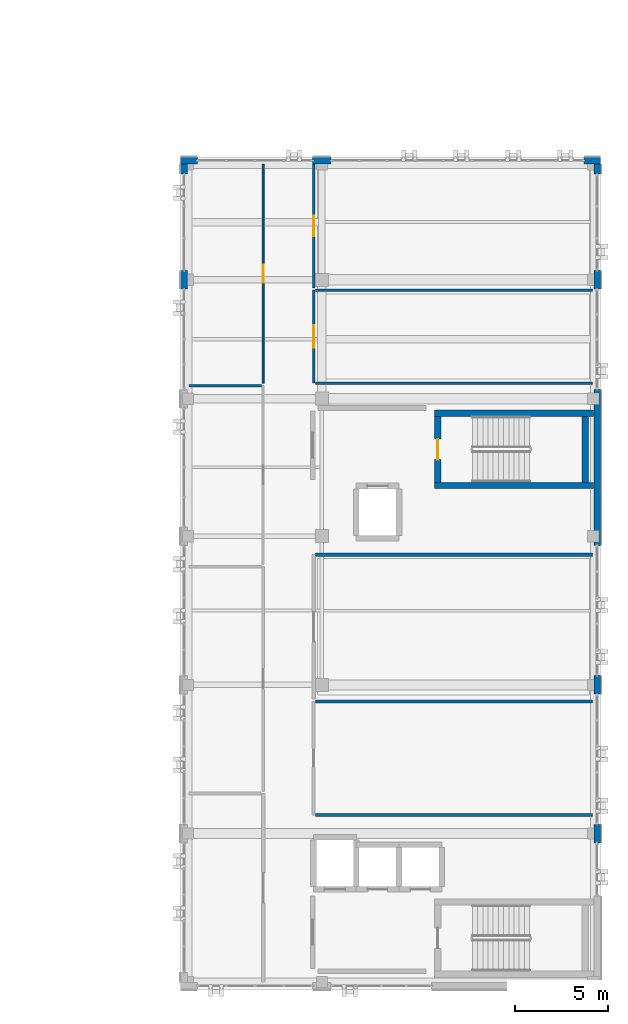
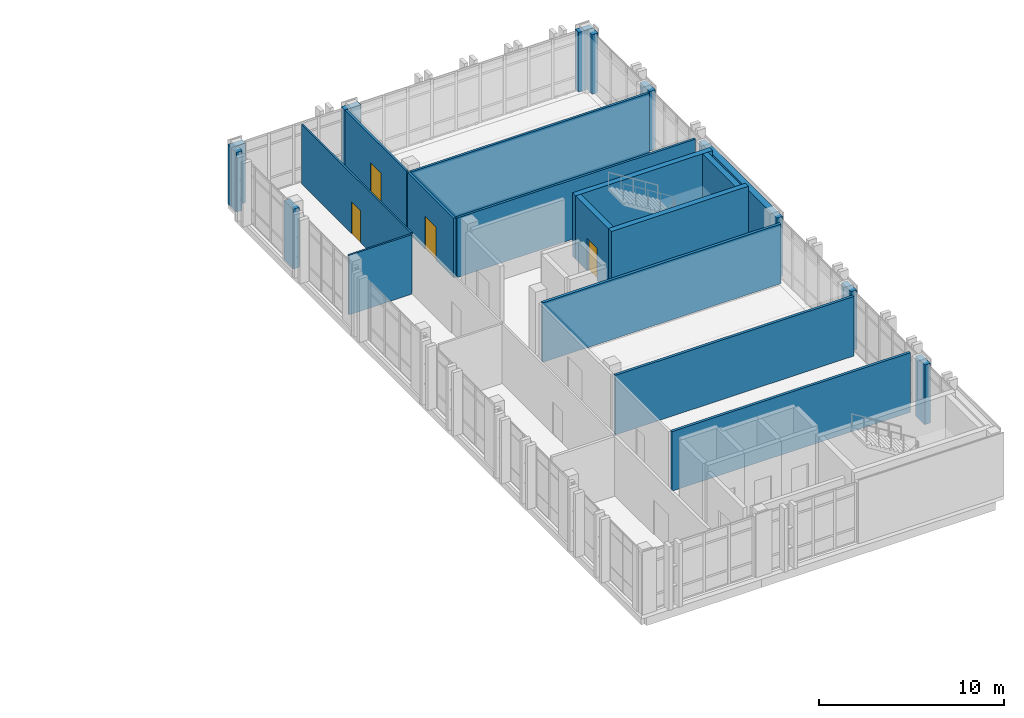
# One storey, part 62 of 77: 23 walls, 4 doors, 4 openings.
"""IFC4 building model written with IfcOpenShell, lengths in metres."""

from ifc_helpers import new_model, si_unit, direction, frame, frame_2d, origin, place, context, subcontext, project, spatial, rectangle, extrude, material, layer, layer_set, type_object, element, fill, save


model = new_model("IFC4")

# Units and contexts
model_context = context("Model", 3, precision=1e-05, world=origin(), true_north=direction((0.0, 1.0)))
body_context = subcontext(model_context, "Body", "Model", "MODEL_VIEW")
ifc_project = project(units=[si_unit("LENGTHUNIT", "METRE"), si_unit("AREAUNIT", "SQUARE_METRE"), si_unit("VOLUMEUNIT", "CUBIC_METRE"), si_unit("PLANEANGLEUNIT", "RADIAN"), si_unit("MASSUNIT", "GRAM", prefix="KILO")], contexts=[model_context])

# Site, building, storey
site_placement = place(None, origin())
site = spatial("IfcSite", under=ifc_project, at=site_placement, CompositionType="ELEMENT")
building_placement = place(site_placement, origin())
building = spatial("IfcBuilding", under=site, at=building_placement, Name="Qalavern Law Courts", CompositionType="ELEMENT")
storey_placement = place(building_placement, frame((0.0, 0.0, 27.0)))
storey = spatial("IfcBuildingStorey", under=building, at=storey_placement, Name="L06", CompositionType="ELEMENT", Elevation=27.0)

# Walls
ifc_material_1 = material(Name="Concrete C40/50", Category="concrete")
ifc_layer_1 = layer(ifc_material_1, 0.3701171875)
ifc_layer_set_1 = layer_set([ifc_layer_1], Name="Concrete C40/50")
wall_type_1 = type_object("IfcWallType", Name="ENV-EW-370", PredefinedType="SOLIDWALL", material=ifc_layer_set_1)
for number, where, z_axis, x_axis, name in (
    (1, (106.614990234375, 48.89990234375, 0.0), (0.0, 0.0, 1.0), (0.0, 1.0, 0.0), "V4 exterior pier wall L06 east 2"),
    (2, (106.614990234375, 56.89990234375, 0.0), (0.0, 0.0, 1.0), (0.0, 1.0, 0.0), "V4 exterior pier wall L06 east 3"),
):
    element("IfcWall", number, at=place(storey_placement, frame(where, z_axis=z_axis, x_axis=x_axis)), inside=storey, type_object=wall_type_1, Name=name, PredefinedType="SOLIDWALL", context=body_context, shape_type="SweptSolid", body=[
        extrude(rectangle(XDim=1.0, YDim=0.3701171875, at=frame_2d((0.5, 0.0))), origin(), (0.0, 0.0, 1.0), 3.93505859375),
    ])
wall_1_placement = place(storey_placement, frame((106.614990234375, 64.89990234375, 0.0), z_axis=(0.0, 0.0, 1.0), x_axis=(0.0, 1.0, 0.0)))
element("IfcWall", 3, at=wall_1_placement, inside=storey, type_object=wall_type_1, Name="V4 exterior pier wall L06 east 4", PredefinedType="SOLIDWALL", context=body_context, shape_type="SweptSolid", body=[
    extrude(rectangle(XDim=8.400146484375, YDim=0.3701171875, at=frame_2d((4.2001953125, 0.0))), origin(), (0.0, 0.0, 1.0), 3.93505859375),
])
wall_2_placement = place(storey_placement, frame((106.614990234375, 78.699951171875, 0.0), z_axis=(0.0, 0.0, 1.0), x_axis=(0.0, 1.0, 0.0)))
element("IfcWall", 4, at=wall_2_placement, inside=storey, type_object=wall_type_1, Name="V4 exterior pier wall L06 east 5", PredefinedType="SOLIDWALL", context=body_context, shape_type="SweptSolid", body=[
    extrude(rectangle(XDim=1.0, YDim=0.3701171875, at=frame_2d((0.5, 0.0))), origin(), (0.0, 0.0, 1.0), 3.93505859375),
])
wall_3_placement = place(storey_placement, frame((106.614990234375, 84.885009765625, 0.0), z_axis=(0.0, 0.0, 1.0), x_axis=(0.0, 1.0, 0.0)))
element("IfcWall", 5, at=wall_3_placement, inside=storey, type_object=wall_type_1, Name="V4 exterior pier wall L06 east 6", PredefinedType="SOLIDWALL", context=body_context, shape_type="SweptSolid", body=[
    extrude(rectangle(XDim=0.550048828125, YDim=0.3701171875, at=frame_2d((0.27490234375, 0.0))), origin(), (0.0, 0.0, 1.0), 3.93505859375),
])
wall_4_placement = place(storey_placement, frame((106.800048828125, 85.614990234375, 0.0), z_axis=(0.0, 0.0, 1.0), x_axis=(-1.0, 0.0, 0.0)))
element("IfcWall", 6, at=wall_4_placement, inside=storey, type_object=wall_type_1, Name="V4 exterior pier wall L06 north 1", PredefinedType="SOLIDWALL", context=body_context, shape_type="SweptSolid", body=[
    extrude(rectangle(XDim=0.900146484375, YDim=0.3701171875, at=frame_2d((0.4501953125, 0.0))), origin(), (0.0, 0.0, 1.0), 3.93505859375),
])
wall_5_placement = place(storey_placement, frame((92.300048828125, 85.614990234375, 0.0), z_axis=(0.0, 0.0, 1.0), x_axis=(-1.0, 0.0, 0.0)))
element("IfcWall", 7, at=wall_5_placement, inside=storey, type_object=wall_type_1, Name="V4 exterior pier wall L06 north 2", PredefinedType="SOLIDWALL", context=body_context, shape_type="SweptSolid", body=[
    extrude(rectangle(XDim=1.0, YDim=0.3701171875, at=frame_2d((0.5, 0.0))), origin(), (0.0, 0.0, 1.0), 3.93505859375),
])
wall_6_placement = place(storey_placement, frame((85.10009765625, 85.614990234375, 0.0), z_axis=(0.0, 0.0, 1.0), x_axis=(-1.0, 0.0, 0.0)))
element("IfcWall", 8, at=wall_6_placement, inside=storey, type_object=wall_type_1, Name="V4 exterior pier wall L06 north 3", PredefinedType="SOLIDWALL", context=body_context, shape_type="SweptSolid", body=[
    extrude(rectangle(XDim=0.900146484375, YDim=0.3701171875, at=frame_2d((0.4501953125, 0.0))), origin(), (0.0, 0.0, 1.0), 3.93505859375),
])
wall_7_placement = place(storey_placement, frame((84.385009765625, 85.43505859375, 0.0), z_axis=(0.0, 0.0, 1.0), x_axis=(0.0, -1.0, 0.0)))
element("IfcWall", 9, at=wall_7_placement, inside=storey, type_object=wall_type_1, Name="V4 exterior pier wall L06 west 1", PredefinedType="SOLIDWALL", context=body_context, shape_type="SweptSolid", body=[
    extrude(rectangle(XDim=0.550048828125, YDim=0.3701171875, at=frame_2d((0.27490234375, 0.0))), origin(), (0.0, 0.0, 1.0), 3.93505859375),
])
wall_8_placement = place(storey_placement, frame((84.385009765625, 79.699951171875, 0.0), z_axis=(0.0, 0.0, 1.0), x_axis=(0.0, -1.0, 0.0)))
element("IfcWall", 10, at=wall_8_placement, inside=storey, type_object=wall_type_1, Name="V4 exterior pier wall L06 west 2", PredefinedType="SOLIDWALL", context=body_context, shape_type="SweptSolid", body=[
    extrude(rectangle(XDim=1.0, YDim=0.3701171875, at=frame_2d((0.5, 0.0))), origin(), (0.0, 0.0, 1.0), 3.93505859375),
])
ifc_material_2 = material(Name="Concrete C45/55", Category="concrete")
ifc_layer_2 = layer(ifc_material_2, 0.3349609375)
ifc_layer_set_2 = layer_set([ifc_layer_2], Name="Concrete C45/55")
wall_type_2 = type_object("IfcWallType", Name="INT-CW-335", PredefinedType="SHEAR", material=ifc_layer_set_2)
wall_9_placement = place(storey_placement, frame((97.864990234375, 68.132568359375, 0.0), z_axis=(0.0, 0.0, 1.0), x_axis=(1.0, 0.0, 0.0)))
element("IfcWall", 11, at=wall_9_placement, inside=storey, type_object=wall_type_2, Name="Core K1B stair shear wall L06 south", PredefinedType="SHEAR", context=body_context, shape_type="SweptSolid", body=[
    extrude(rectangle(XDim=8.56201171875, YDim=0.3349609375, at=frame_2d((4.281005859375, 0.0))), origin(), (0.0, 0.0, 1.0), 4.199951171875),
])
wall_10_placement = place(storey_placement, frame((105.967529296875, 68.300048828125, 0.0), z_axis=(0.0, 0.0, 1.0), x_axis=(0.0, 1.0, 0.0)))
element("IfcWall", 12, at=wall_10_placement, inside=storey, type_object=wall_type_2, Name="Core K1B stair shear wall L06 east", PredefinedType="SHEAR", context=body_context, shape_type="SweptSolid", body=[
    extrude(rectangle(XDim=3.550048828125, YDim=0.3349609375, at=frame_2d((1.77490234375, 0.0))), origin(), (0.0, 0.0, 1.0), 4.199951171875),
])
wall_11_placement = place(storey_placement, frame((106.427001953125, 72.017578125, 0.0), z_axis=(0.0, 0.0, 1.0), x_axis=(-1.0, 0.0, 0.0)))
element("IfcWall", 13, at=wall_11_placement, inside=storey, type_object=wall_type_2, Name="Core K1B stair shear wall L06 north", PredefinedType="SHEAR", context=body_context, shape_type="SweptSolid", body=[
    extrude(rectangle(XDim=8.56201171875, YDim=0.3349609375, at=frame_2d((4.281005859375, 0.0))), origin(), (0.0, 0.0, 1.0), 4.199951171875),
])

# Wall, opening, door
wall_12_placement = place(storey_placement, frame((98.032470703125, 71.85009765625, 0.0), z_axis=(0.0, 0.0, 1.0), x_axis=(0.0, -1.0, 0.0)))
wall_12 = element("IfcWall", 14, at=wall_12_placement, inside=storey, type_object=wall_type_2, Name="Core K1B stair shear wall L06 west", PredefinedType="SHEAR", context=body_context, shape_type="SweptSolid", body=[
    extrude(rectangle(XDim=3.550048828125, YDim=0.3349609375, at=frame_2d((1.77490234375, 0.0))), origin(), (0.0, 0.0, 1.0), 4.199951171875),
])
opening_1_placement = place(wall_12_placement, frame((1.22509765625, 0.0, 0.0)))
opening_1 = element("IfcOpeningElement", 15, at=opening_1_placement, cuts=wall_12, Name="Opening L06-D041", PredefinedType="OPENING", context=body_context, shape_type="SweptSolid", body=[
    extrude(rectangle(XDim=1.10009765625, YDim=2.14990234375, at=frame_2d((0.550048828125, 1.074951171875))), frame((0.0, 0.182373046875, 0.0), z_axis=(0.0, -1.0, 0.0), x_axis=(1.0, 0.0, 0.0)), (0.0, 0.0, 1.0), 0.36474609375),
])
ifc_material_3 = material(Name="Steel fire-rated stair enclosure door", Category="steel")
door_type_1 = type_object("IfcDoorType", Name="INT-FD-1100x2150", OperationType="NOTDEFINED", PredefinedType="DOOR", material=ifc_material_3)
door_1_placement = place(opening_1_placement, frame((1.10009765625, 0.0, 0.0), z_axis=(0.0, 0.0, 1.0), x_axis=(-1.0, 0.0, 0.0)))
door_1 = element("IfcDoor", 16, at=door_1_placement, inside=storey, type_object=door_type_1, Name="Stair K1B fire door L06", OperationType="SINGLE_SWING_LEFT", OverallHeight=2.14990234375, OverallWidth=1.10009765625, PredefinedType="DOOR", context=body_context, shape_type="SweptSolid", body=[
    extrude(rectangle(XDim=1.10009765625, YDim=2.14990234375, at=frame_2d((0.550048828125, 1.074951171875))), frame((0.0, 0.02490234375, 0.0), z_axis=(0.0, -1.0, 0.0), x_axis=(1.0, 0.0, 0.0)), (0.0, 0.0, 1.0), 0.050048828125),
])
fill(opening_1, door_1)

ifc_material_4 = material(Name="Gypsum sanitary partition")
ifc_layer_3 = layer(ifc_material_4, 0.10205078125)
ifc_layer_set_3 = layer_set([ifc_layer_3], Name="Gypsum sanitary partition")
wall_type_3 = type_object("IfcWallType", Name="INT-PW-102", PredefinedType="PARTITIONING", material=ifc_layer_set_3)
wall_13_placement = place(storey_placement, frame((88.639892578125, 73.6201171875, 0.0), z_axis=(0.0, 0.0, 1.0), x_axis=(0.0, 1.0, 0.0)))
wall_13 = element("IfcWall", 17, at=wall_13_placement, inside=storey, type_object=wall_type_3, Name="Judicial Clerks' Office corridor partition L06", PredefinedType="PARTITIONING", context=body_context, shape_type="SweptSolid", body=[
    extrude(rectangle(XDim=11.7998046875, YDim=0.10205078125, at=frame_2d((5.89990234375, 0.0))), origin(), (0.0, 0.0, 1.0), 3.93505859375),
])
opening_2_placement = place(wall_13_placement, frame((5.409912109375, 0.0, 0.0)))
opening_2 = element("IfcOpeningElement", 18, at=opening_2_placement, cuts=wall_13, Name="Opening L06-D305", PredefinedType="OPENING", context=body_context, shape_type="SweptSolid", body=[
    extrude(rectangle(XDim=0.97998046875, YDim=2.090087890625, at=frame_2d((0.489990234375, 1.044921875))), frame((0.0, 0.06591796875, 0.0), z_axis=(0.0, -1.0, 0.0), x_axis=(1.0, 0.0, 0.0)), (0.0, 0.0, 1.0), 0.1318359375),
])
ifc_material_5 = material(Name="Timber Legal Research Office door", Category="wood")
door_type_2 = type_object("IfcDoorType", Name="INT-ID-980x2090", OperationType="NOTDEFINED", PredefinedType="DOOR", material=ifc_material_5)
door_2_placement = place(opening_2_placement, frame((0.97998046875, 0.0, 0.0), z_axis=(0.0, 0.0, 1.0), x_axis=(-1.0, 0.0, 0.0)))
door_2 = element("IfcDoor", 19, at=door_2_placement, inside=storey, type_object=door_type_2, Name="Judicial Clerks' Office door L06", OperationType="SINGLE_SWING_LEFT", OverallHeight=2.090087890625, OverallWidth=0.97998046875, PredefinedType="DOOR", context=body_context, shape_type="SweptSolid", body=[
    extrude(rectangle(XDim=0.97998046875, YDim=2.090087890625, at=frame_2d((0.489990234375, 1.044921875))), frame((0.0, 0.02490234375, 0.0), z_axis=(0.0, -1.0, 0.0), x_axis=(1.0, 0.0, 0.0)), (0.0, 0.0, 1.0), 0.050048828125),
])
fill(opening_2, door_2)

# Wall
ifc_material_6 = material(Name="Gypsum stud partition")
ifc_layer_4 = layer(ifc_material_6, 0.112060546875)
ifc_layer_set_4 = layer_set([ifc_layer_4], Name="Gypsum stud partition")
wall_type_4 = type_object("IfcWallType", Name="INT-PW-112", PredefinedType="PARTITIONING", material=ifc_layer_set_4)
wall_14_placement = place(storey_placement, frame((84.639892578125, 73.5, 0.0), z_axis=(0.0, 0.0, 1.0), x_axis=(1.0, 0.0, 0.0)))
element("IfcWall", 20, at=wall_14_placement, inside=storey, type_object=wall_type_4, Name="Judicial Conference Room cross partition L06 north", PredefinedType="PARTITIONING", context=body_context, shape_type="SweptSolid", body=[
    extrude(rectangle(XDim=3.924072265625, YDim=0.112060546875, at=frame_2d((1.9619140625, 0.0))), origin(), (0.0, 0.0, 1.0), 3.93505859375),
])

# Wall, opening, door
ifc_layer_5 = layer(ifc_material_6, 0.132080078125)
ifc_layer_set_5 = layer_set([ifc_layer_5], Name="Gypsum stud partition")
wall_type_5 = type_object("IfcWallType", Name="INT-PW-132", PredefinedType="PARTITIONING", material=ifc_layer_set_5)
wall_15_placement = place(storey_placement, frame((91.360107421875, 78.764892578125, 0.0), z_axis=(0.0, 0.0, 1.0), x_axis=(0.0, 1.0, 0.0)))
wall_15 = element("IfcWall", 21, at=wall_15_placement, inside=storey, type_object=wall_type_5, Name="Judicial Conference Room corridor partition L06", PredefinedType="PARTITIONING", context=body_context, shape_type="SweptSolid", body=[
    extrude(rectangle(XDim=6.655029296875, YDim=0.132080078125, at=frame_2d((3.32763671875, 0.0))), origin(), (0.0, 0.0, 1.0), 3.93505859375),
])
opening_3_placement = place(wall_15_placement, frame((2.767578125, 0.0, 0.0)))
opening_3 = element("IfcOpeningElement", 22, at=opening_3_placement, cuts=wall_15, Name="Opening L06-D309", PredefinedType="OPENING", context=body_context, shape_type="SweptSolid", body=[
    extrude(rectangle(XDim=1.1201171875, YDim=2.139892578125, at=frame_2d((0.56005859375, 1.06982421875))), frame((0.0, 0.0810546875, 0.0), z_axis=(0.0, -1.0, 0.0), x_axis=(1.0, 0.0, 0.0)), (0.0, 0.0, 1.0), 0.161865234375),
])
ifc_material_7 = material(Name="Solid oak Appellate Chambers door")
door_type_3 = type_object("IfcDoorType", Name="INT-ID-1120x2140", OperationType="NOTDEFINED", PredefinedType="DOOR", material=ifc_material_7)
door_3_placement = place(opening_3_placement, origin())
door_3 = element("IfcDoor", 23, at=door_3_placement, inside=storey, type_object=door_type_3, Name="Judicial Conference Room door L06", OperationType="SINGLE_SWING_RIGHT", OverallHeight=2.139892578125, OverallWidth=1.1201171875, PredefinedType="DOOR", context=body_context, shape_type="SweptSolid", body=[
    extrude(rectangle(XDim=1.1201171875, YDim=2.139892578125, at=frame_2d((0.56005859375, 1.06982421875))), frame((0.0, 0.02490234375, 0.0), z_axis=(0.0, -1.0, 0.0), x_axis=(1.0, 0.0, 0.0)), (0.0, 0.0, 1.0), 0.050048828125),
])
fill(opening_3, door_3)

ifc_layer_6 = layer(ifc_material_6, 0.14208984375)
ifc_layer_set_6 = layer_set([ifc_layer_6], Name="Gypsum stud partition")
wall_type_6 = type_object("IfcWallType", Name="INT-PW-142", PredefinedType="PARTITIONING", material=ifc_layer_set_6)
wall_16_placement = place(storey_placement, frame((91.360107421875, 73.639892578125, 0.0), z_axis=(0.0, 0.0, 1.0), x_axis=(0.0, 1.0, 0.0)))
wall_16 = element("IfcWall", 24, at=wall_16_placement, inside=storey, type_object=wall_type_6, Name="Appellate Panel Chambers corridor partition L06", PredefinedType="PARTITIONING", context=body_context, shape_type="SweptSolid", body=[
    extrude(rectangle(XDim=5.005126953125, YDim=0.14208984375, at=frame_2d((2.50244140625, 0.0))), origin(), (0.0, 0.0, 1.0), 3.93505859375),
])
opening_4_placement = place(wall_16_placement, frame((1.892578125, 0.0, 0.0)))
opening_4 = element("IfcOpeningElement", 25, at=opening_4_placement, cuts=wall_16, Name="Opening L06-D308", PredefinedType="OPENING", context=body_context, shape_type="SweptSolid", body=[
    extrude(rectangle(XDim=1.219970703125, YDim=2.179931640625, at=frame_2d((0.60986328125, 1.08984375))), frame((0.0, 0.0859375, 0.0), z_axis=(0.0, -1.0, 0.0), x_axis=(1.0, 0.0, 0.0)), (0.0, 0.0, 1.0), 0.171875),
])
ifc_material_8 = material(Name="Wide oak Plenary Boardroom door")
door_type_4 = type_object("IfcDoorType", Name="INT-ID-1220x2180", OperationType="NOTDEFINED", PredefinedType="DOOR", material=ifc_material_8)
door_4_placement = place(opening_4_placement, origin())
door_4 = element("IfcDoor", 26, at=door_4_placement, inside=storey, type_object=door_type_4, Name="Appellate Panel Chambers door L06", OperationType="SINGLE_SWING_LEFT", OverallHeight=2.179931640625, OverallWidth=1.219970703125, PredefinedType="DOOR", context=body_context, shape_type="SweptSolid", body=[
    extrude(rectangle(XDim=1.219970703125, YDim=2.179931640625, at=frame_2d((0.60986328125, 1.08984375))), frame((0.0, 0.02490234375, 0.0), z_axis=(0.0, -1.0, 0.0), x_axis=(1.0, 0.0, 0.0)), (0.0, 0.0, 1.0), 0.050048828125),
])
fill(opening_4, door_4)

# Walls
for number, where, z_axis, x_axis, name in (
    (27, (91.450927734375, 73.639892578125, 0.0), (0.0, 0.0, 1.0), (1.0, 0.0, 0.0), "Appellate Panel Chambers cross partition L06 south"),
    (28, (91.450927734375, 78.64501953125, 0.0), (0.0, 0.0, 1.0), (1.0, 0.0, 0.0), "Appellate Panel Chambers cross partition L06 north"),
):
    element("IfcWall", number, at=place(storey_placement, frame(where, z_axis=z_axis, x_axis=x_axis)), inside=storey, type_object=wall_type_6, Name=name, PredefinedType="PARTITIONING", context=body_context, shape_type="SweptSolid", body=[
        extrude(rectangle(XDim=14.9091796875, YDim=0.14208984375, at=frame_2d((7.45458984375, 0.0))), origin(), (0.0, 0.0, 1.0), 3.93505859375),
    ])
ifc_layer_7 = layer(ifc_material_6, 0.162109375)
ifc_layer_set_7 = layer_set([ifc_layer_7], Name="Gypsum stud partition")
wall_type_7 = type_object("IfcWallType", Name="INT-PW-162", PredefinedType="PARTITIONING", material=ifc_layer_set_7)
for number, where, z_axis, x_axis, name in (
    (29, (91.4609375, 50.389892578125, 0.0), (0.0, 0.0, 1.0), (1.0, 0.0, 0.0), "Accessible WC cross partition L06 south"),
    (30, (91.4609375, 56.514892578125, 0.0), (0.0, 0.0, 1.0), (1.0, 0.0, 0.0), "Accessible WC cross partition L06 north"),
):
    element("IfcWall", number, at=place(storey_placement, frame(where, z_axis=z_axis, x_axis=x_axis)), inside=storey, type_object=wall_type_7, Name=name, PredefinedType="PARTITIONING", context=body_context, shape_type="SweptSolid", body=[
        extrude(rectangle(XDim=14.899169921875, YDim=0.162109375, at=frame_2d((7.44970703125, 0.0))), origin(), (0.0, 0.0, 1.0), 3.93505859375),
    ])
ifc_material_9 = material(Name="Gypsum acoustic stud partition")
ifc_layer_8 = layer(ifc_material_9, 0.174072265625)
ifc_layer_set_8 = layer_set([ifc_layer_8], Name="Gypsum acoustic stud partition")
wall_type_8 = type_object("IfcWallType", Name="INT-PW-174", PredefinedType="PARTITIONING", material=ifc_layer_set_8)
wall_17_placement = place(storey_placement, frame((91.467041015625, 64.409912109375, 0.0), z_axis=(0.0, 0.0, 1.0), x_axis=(1.0, 0.0, 0.0)))
element("IfcWall", 31, at=wall_17_placement, inside=storey, type_object=wall_type_8, Name="Commercial Courtroom cross partition L06 north", PredefinedType="PARTITIONING", context=body_context, shape_type="SweptSolid", body=[
    extrude(rectangle(XDim=14.89306640625, YDim=0.174072265625, at=frame_2d((7.446533203125, 0.0))), origin(), (0.0, 0.0, 1.0), 3.93505859375),
])

save(model, "model.ifc")
